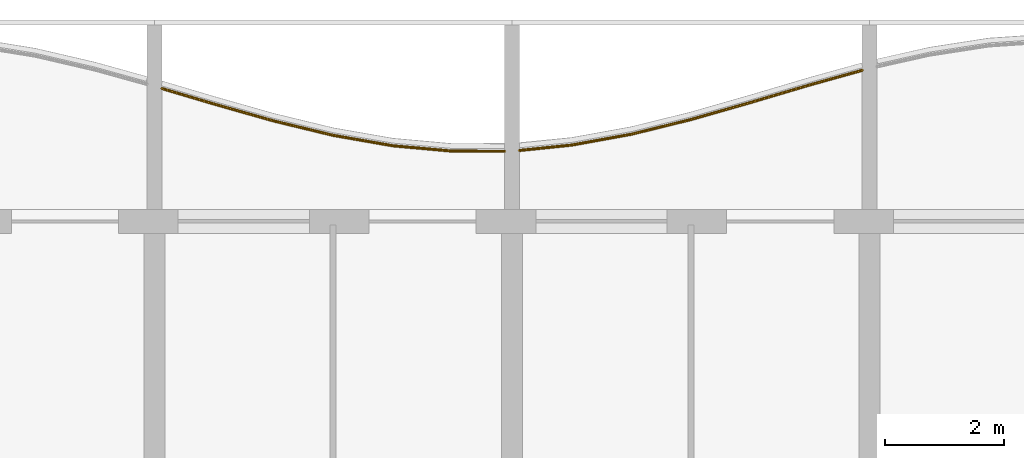
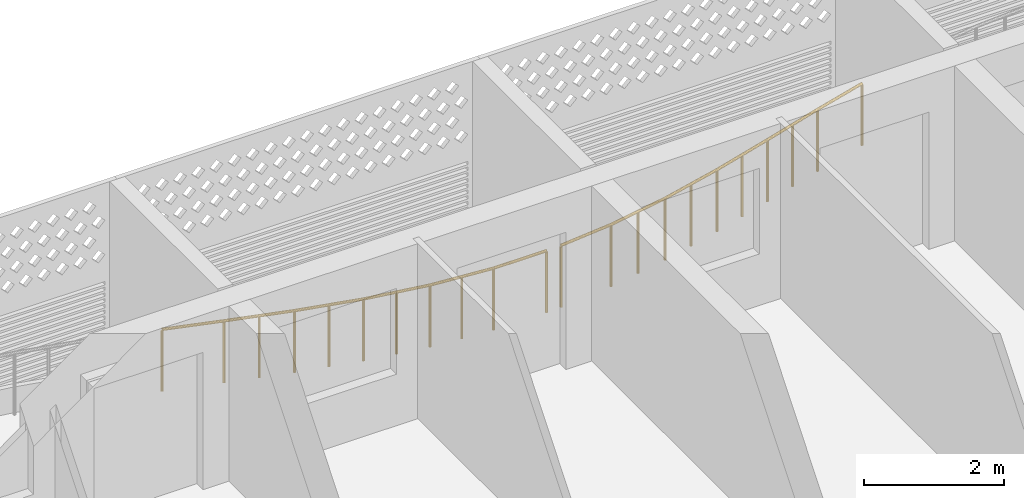
# One storey, part 27 of 30: 2 railings.
"""IFC4 building model written with IfcOpenShell, lengths in metres."""

from ifc_helpers import new_model, si_unit, direction, frame, origin, origin_2d, place, context, subcontext, project, spatial, circle, extrude, material, type_object, element, save


model = new_model("IFC4")

# Units and contexts
model_context = context("Model", 3, precision=1e-05, world=origin(), true_north=direction((0.0, 1.0)))
body_context = subcontext(model_context, "Body", "Model", "MODEL_VIEW")
ifc_project = project(units=[si_unit("LENGTHUNIT", "METRE"), si_unit("AREAUNIT", "SQUARE_METRE"), si_unit("VOLUMEUNIT", "CUBIC_METRE"), si_unit("PLANEANGLEUNIT", "RADIAN"), si_unit("MASSUNIT", "GRAM", prefix="KILO")], contexts=[model_context])

# Site, building, storey
site_placement = place(None, origin())
site = spatial("IfcSite", under=ifc_project, at=site_placement, CompositionType="ELEMENT")
building_placement = place(site_placement, origin())
building = spatial("IfcBuilding", under=site, at=building_placement, Name="Poui Terraces", CompositionType="ELEMENT")
storey_placement = place(building_placement, frame((0.0, 0.0, 99.300048828125)))
storey = spatial("IfcBuildingStorey", under=building, at=storey_placement, Name="L27", CompositionType="ELEMENT", Elevation=99.300048828125)

# Railings
ifc_material = material(Name="Painted steel fretwork", Category="steel")
railing_type = type_object("IfcRailingType", Name="BALCONY GUARD 1100", PredefinedType="GUARDRAIL", material=ifc_material)
railing_1_placement = place(storey_placement, frame((72.125, 45.8310546875, 0.0)))
element("IfcRailing", 1, at=railing_1_placement, inside=storey, type_object=railing_type, Name="BALCONY GUARD", PredefinedType="GUARDRAIL", context=body_context, shape_type="SweptSolid", body=[
    extrude(circle(Radius=0.02392578125, at=origin_2d()), frame((0.0, 0.0, 1.076171875), z_axis=(0.958646866278, -0.284598288426, 0.0), x_axis=(0.284598288426, 0.958646866278, 0.0)), (0.0, 0.0, 1.0), 0.912841796875),
    extrude(circle(Radius=0.02392578125, at=origin_2d()), frame((0.875, -0.259765625, 1.076171875), z_axis=(0.961974635381, -0.273138794177, 0.0), x_axis=(0.273138794177, 0.961974635381, 0.0)), (0.0, 0.0, 1.0), 1.03955078125),
    extrude(circle(Radius=0.02392578125, at=origin_2d()), frame((1.875, -0.543701171875, 1.076171875), z_axis=(0.97195702449, -0.235158547673, 0.0), x_axis=(0.235158547673, 0.97195702449, 0.0)), (0.0, 0.0, 1.0), 1.02880859375),
    extrude(circle(Radius=0.02392578125, at=origin_2d()), frame((2.875, -0.78564453125, 1.076171875), z_axis=(0.985022299221, -0.172426999156, 0.0), x_axis=(0.172426999156, 0.985022299221, 0.0)), (0.0, 0.0, 1.0), 1.01513671875),
    extrude(circle(Radius=0.02392578125, at=origin_2d()), frame((3.875, -0.960693359375, 1.076171875), z_axis=(0.995944862323, -0.089965722427, 0.0), x_axis=(0.089965722427, 0.995944862323, 0.0)), (0.0, 0.0, 1.0), 1.004150390625),
    extrude(circle(Radius=0.02392578125, at=origin_2d()), frame((4.875, -1.051025390625, 1.076171875), z_axis=(0.999998092657, -0.001953121275, 0.0), x_axis=(0.001953121275, 0.999998092657, 0.0)), (0.0, 0.0, 1.0), 0.875),
    extrude(circle(Radius=0.02099609375, at=origin_2d()), origin(), (0.0, 0.0, 1.0), 1.052001953125),
    extrude(circle(Radius=0.02099609375, at=origin_2d()), frame((0.875, -0.259765625, 0.0)), (0.0, 0.0, 1.0), 1.052001953125),
    extrude(circle(Radius=0.02099609375, at=origin_2d()), frame((1.375, -0.40185546875, 0.0)), (0.0, 0.0, 1.0), 1.052001953125),
    extrude(circle(Radius=0.02099609375, at=origin_2d()), frame((1.875, -0.543701171875, 0.0)), (0.0, 0.0, 1.0), 1.052001953125),
    extrude(circle(Radius=0.02099609375, at=origin_2d()), frame((2.375, -0.66455078125, 0.0)), (0.0, 0.0, 1.0), 1.052001953125),
    extrude(circle(Radius=0.02099609375, at=origin_2d()), frame((2.875, -0.78564453125, 0.0)), (0.0, 0.0, 1.0), 1.052001953125),
    extrude(circle(Radius=0.02099609375, at=origin_2d()), frame((3.375, -0.873046875, 0.0)), (0.0, 0.0, 1.0), 1.052001953125),
    extrude(circle(Radius=0.02099609375, at=origin_2d()), frame((3.875, -0.960693359375, 0.0)), (0.0, 0.0, 1.0), 1.052001953125),
    extrude(circle(Radius=0.02099609375, at=origin_2d()), frame((4.375, -1.005859375, 0.0)), (0.0, 0.0, 1.0), 1.052001953125),
    extrude(circle(Radius=0.02099609375, at=origin_2d()), frame((4.875, -1.051025390625, 0.0)), (0.0, 0.0, 1.0), 1.052001953125),
    extrude(circle(Radius=0.02099609375, at=origin_2d()), frame((5.75, -1.052734375, 0.0)), (0.0, 0.0, 1.0), 1.052001953125),
])
railing_2_placement = place(storey_placement, frame((78.125, 44.791259765625, 0.0)))
element("IfcRailing", 2, at=railing_2_placement, inside=storey, type_object=railing_type, Name="BALCONY GUARD", PredefinedType="GUARDRAIL", context=body_context, shape_type="SweptSolid", body=[
    extrude(circle(Radius=0.02392578125, at=origin_2d()), frame((0.0, 0.0, 1.076171875), z_axis=(0.994684934875, 0.102965432712, 0.0), x_axis=(-0.102965432712, 0.994684934875, 0.0)), (0.0, 0.0, 1.0), 0.879638671875),
    extrude(circle(Radius=0.02392578125, at=origin_2d()), frame((0.875, 0.090576171875, 1.076171875), z_axis=(0.983942855126, 0.178483774746, 0.0), x_axis=(-0.178483774746, 0.983942855126, 0.0)), (0.0, 0.0, 1.0), 1.016357421875),
    extrude(circle(Radius=0.02392578125, at=origin_2d()), frame((1.875, 0.27197265625, 1.076171875), z_axis=(0.970918311966, 0.239411009542, 0.0), x_axis=(-0.239411009542, 0.970918311966, 0.0)), (0.0, 0.0, 1.0), 1.030029296875),
    extrude(circle(Radius=0.02392578125, at=origin_2d()), frame((2.875, 0.5185546875, 1.076171875), z_axis=(0.961479645288, 0.274876138826, 0.0), x_axis=(-0.274876138826, 0.961479645288, 0.0)), (0.0, 0.0, 1.0), 1.0400390625),
    extrude(circle(Radius=0.02392578125, at=origin_2d()), frame((3.875, 0.804443359375, 1.076171875), z_axis=(0.958774495191, 0.284168026651, 0.0), x_axis=(-0.284168026651, 0.958774495191, 0.0)), (0.0, 0.0, 1.0), 1.04296875),
    extrude(circle(Radius=0.02392578125, at=origin_2d()), frame((4.875, 1.100830078125, 1.076171875), z_axis=(0.963348277861, 0.268253789427, 0.0), x_axis=(-0.268253789427, 0.963348277861, 0.0)), (0.0, 0.0, 1.0), 0.908203125),
    extrude(circle(Radius=0.02099609375, at=origin_2d()), origin(), (0.0, 0.0, 1.0), 1.052001953125),
    extrude(circle(Radius=0.02099609375, at=origin_2d()), frame((0.875, 0.090576171875, 0.0)), (0.0, 0.0, 1.0), 1.052001953125),
    extrude(circle(Radius=0.02099609375, at=origin_2d()), frame((1.375, 0.18115234375, 0.0)), (0.0, 0.0, 1.0), 1.052001953125),
    extrude(circle(Radius=0.02099609375, at=origin_2d()), frame((1.875, 0.27197265625, 0.0)), (0.0, 0.0, 1.0), 1.052001953125),
    extrude(circle(Radius=0.02099609375, at=origin_2d()), frame((2.375, 0.395263671875, 0.0)), (0.0, 0.0, 1.0), 1.052001953125),
    extrude(circle(Radius=0.02099609375, at=origin_2d()), frame((2.875, 0.5185546875, 0.0)), (0.0, 0.0, 1.0), 1.052001953125),
    extrude(circle(Radius=0.02099609375, at=origin_2d()), frame((3.375, 0.66162109375, 0.0)), (0.0, 0.0, 1.0), 1.052001953125),
    extrude(circle(Radius=0.02099609375, at=origin_2d()), frame((3.875, 0.804443359375, 0.0)), (0.0, 0.0, 1.0), 1.052001953125),
    extrude(circle(Radius=0.02099609375, at=origin_2d()), frame((4.375, 0.95263671875, 0.0)), (0.0, 0.0, 1.0), 1.052001953125),
    extrude(circle(Radius=0.02099609375, at=origin_2d()), frame((4.875, 1.100830078125, 0.0)), (0.0, 0.0, 1.0), 1.052001953125),
    extrude(circle(Radius=0.02099609375, at=origin_2d()), frame((5.75, 1.344482421875, 0.0)), (0.0, 0.0, 1.0), 1.052001953125),
])

save(model, "model.ifc")
